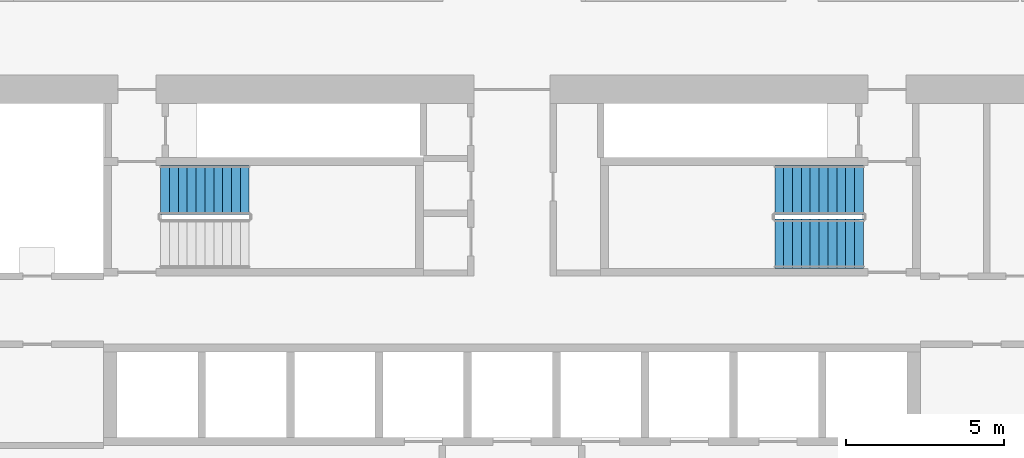
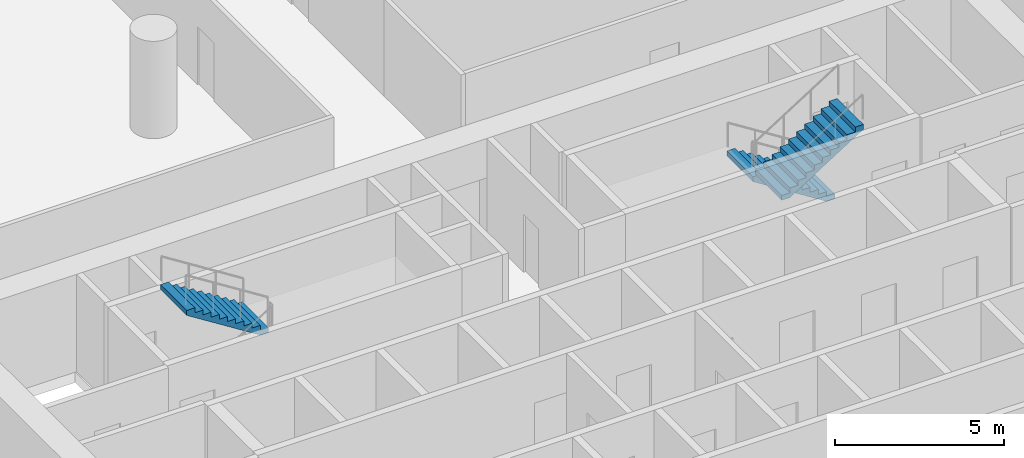
# One storey, part 9 of 10: 3 stair flights, 2 elements without a shape of their own.
"""IFC4 building model written with IfcOpenShell, lengths in metres."""

from ifc_helpers import new_model, si_unit, direction, frame, origin, place, context, subcontext, project, spatial, polyline, outline, extrude, material, type_object, element, aggregate, save


model = new_model("IFC4")

# Units and contexts
model_context = context("Model", 3, precision=1e-05, world=origin(), true_north=direction((0.0, 1.0)))
body_context = subcontext(model_context, "Body", "Model", "MODEL_VIEW")
ifc_project = project(units=[si_unit("LENGTHUNIT", "METRE"), si_unit("AREAUNIT", "SQUARE_METRE"), si_unit("VOLUMEUNIT", "CUBIC_METRE"), si_unit("PLANEANGLEUNIT", "RADIAN"), si_unit("MASSUNIT", "GRAM", prefix="KILO")], contexts=[model_context])

# Site, building, storey
site_placement = place(None, origin())
site = spatial("IfcSite", under=ifc_project, at=site_placement, CompositionType="ELEMENT")
building_placement = place(site_placement, origin())
building = spatial("IfcBuilding", under=site, at=building_placement, Name="Dhurran Vertical Campus", CompositionType="ELEMENT")
storey_placement = place(building_placement, frame((0.0, 0.0, 45.60009765625)))
storey = spatial("IfcBuildingStorey", under=building, at=storey_placement, Name="L10", CompositionType="ELEMENT", Elevation=45.60009765625)

# Stair, stair flight
ifc_material_1 = material(Name="Concrete C40/50", Category="concrete")
stair_type = type_object("IfcStairType", Name="co-ST-CORE", PredefinedType="HALF_TURN_STAIR", material=ifc_material_1)
stair_1_placement = place(storey_placement, origin())
stair_1 = element("IfcStair", 1, at=stair_1_placement, inside=storey, type_object=stair_type, Name="L10 Protected exit stair ST1", PredefinedType="HALF_TURN_STAIR")
ifc_material_2 = material(Name="Concrete C40/50", Category="concrete")
stair_flight_type = type_object("IfcStairFlightType", Name="co-SFL-RC", PredefinedType="STRAIGHT", material=ifc_material_2)
stair_flight_1_placement = place(storey_placement, frame((-8.300048828125, 9.875, 1.949951171875), z_axis=(0.0, 0.0, 1.0), x_axis=(-1.0, 0.0, 0.0)))
stair_flight_1 = element("IfcStairFlight", 2, at=stair_flight_1_placement, type_object=stair_flight_type, Name="ST1 flight 2", NumberOfRisers=11, NumberOfTreads=10, PredefinedType="STRAIGHT", RiserHeight=0.177272727, TreadLength=0.28, context=body_context, shape_type="SweptSolid", body=[
    extrude(outline(polyline([(0.0, 0.0), (0.0, 0.17724609375), (0.280029296875, 0.17724609375), (0.280029296875, 0.3544921875), (0.56005859375, 0.3544921875), (0.56005859375, 0.53173828125), (0.840087890625, 0.53173828125), (0.840087890625, 0.708984375), (1.1201171875, 0.708984375), (1.1201171875, 0.886474609375), (1.39990234375, 0.886474609375), (1.39990234375, 1.063720703125), (1.679931640625, 1.063720703125), (1.679931640625, 1.240966796875), (1.9599609375, 1.240966796875), (1.9599609375, 1.418212890625), (2.239990234375, 1.418212890625), (2.239990234375, 1.595458984375), (2.52001953125, 1.595458984375), (2.52001953125, 1.772705078125), (2.800048828125, 1.772705078125), (2.800048828125, 1.949951171875), (2.800048828125, 1.59521484375), (0.2802734375, 0.0), (0.0, 0.0)])), frame((0.0, 0.77490234375, 0.0), z_axis=(0.0, -1.0, 0.0), x_axis=(1.0, 0.0, 0.0)), (0.0, 0.0, 1.0), 1.550048828125),
])
aggregate(stair_1, [stair_flight_1])

# Stair, stair flights
stair_2_placement = place(storey_placement, origin())
stair_2 = element("IfcStair", 3, at=stair_2_placement, inside=storey, type_object=stair_type, Name="L10 Protected exit stair ST2", PredefinedType="HALF_TURN_STAIR")
stair_flight_2_placement = place(storey_placement, frame((11.10009765625, 9.875, 0.0), z_axis=(0.0, 0.0, 1.0), x_axis=(-1.0, 0.0, 0.0)))
stair_flight_2 = element("IfcStairFlight", 4, at=stair_flight_2_placement, type_object=stair_flight_type, Name="ST2 flight 1", NumberOfRisers=11, NumberOfTreads=10, PredefinedType="STRAIGHT", RiserHeight=0.177272727, TreadLength=0.28, context=body_context, shape_type="SweptSolid", body=[
    extrude(outline(polyline([(0.0, 0.0), (0.0, 0.17724609375), (0.280029296875, 0.17724609375), (0.280029296875, 0.3544921875), (0.56005859375, 0.3544921875), (0.56005859375, 0.53173828125), (0.840087890625, 0.53173828125), (0.840087890625, 0.708984375), (1.1201171875, 0.708984375), (1.1201171875, 0.886474609375), (1.39990234375, 0.886474609375), (1.39990234375, 1.063720703125), (1.679931640625, 1.063720703125), (1.679931640625, 1.240966796875), (1.9599609375, 1.240966796875), (1.9599609375, 1.418212890625), (2.239990234375, 1.418212890625), (2.239990234375, 1.595458984375), (2.52001953125, 1.595458984375), (2.52001953125, 1.772705078125), (2.800048828125, 1.772705078125), (2.800048828125, 1.949951171875), (2.800048828125, 1.59521484375), (0.2802734375, 0.0), (0.0, 0.0)])), frame((0.0, 0.77490234375, 0.0), z_axis=(0.0, -1.0, 0.0), x_axis=(1.0, 0.0, 0.0)), (0.0, 0.0, 1.0), 1.550048828125),
])
stair_flight_3_placement = place(storey_placement, frame((8.300048828125, 8.175048828125, 1.949951171875), z_axis=(0.0, 0.0, 1.0), x_axis=(1.0, 0.0, 0.0)))
stair_flight_3 = element("IfcStairFlight", 5, at=stair_flight_3_placement, type_object=stair_flight_type, Name="ST2 flight 2", NumberOfRisers=11, NumberOfTreads=10, PredefinedType="STRAIGHT", RiserHeight=0.177272727, TreadLength=0.28, context=body_context, shape_type="SweptSolid", body=[
    extrude(outline(polyline([(0.0, 0.0), (0.0, 0.17724609375), (0.280029296875, 0.17724609375), (0.280029296875, 0.3544921875), (0.56005859375, 0.3544921875), (0.56005859375, 0.53173828125), (0.840087890625, 0.53173828125), (0.840087890625, 0.708984375), (1.1201171875, 0.708984375), (1.1201171875, 0.886474609375), (1.39990234375, 0.886474609375), (1.39990234375, 1.063720703125), (1.679931640625, 1.063720703125), (1.679931640625, 1.240966796875), (1.9599609375, 1.240966796875), (1.9599609375, 1.418212890625), (2.239990234375, 1.418212890625), (2.239990234375, 1.595458984375), (2.52001953125, 1.595458984375), (2.52001953125, 1.772705078125), (2.800048828125, 1.772705078125), (2.800048828125, 1.949951171875), (2.800048828125, 1.59521484375), (0.2802734375, 0.0), (0.0, 0.0)])), frame((0.0, 0.77490234375, 0.0), z_axis=(0.0, -1.0, 0.0), x_axis=(1.0, 0.0, 0.0)), (0.0, 0.0, 1.0), 1.550048828125),
])
aggregate(stair_2, [stair_flight_2, stair_flight_3])

save(model, "model.ifc")
